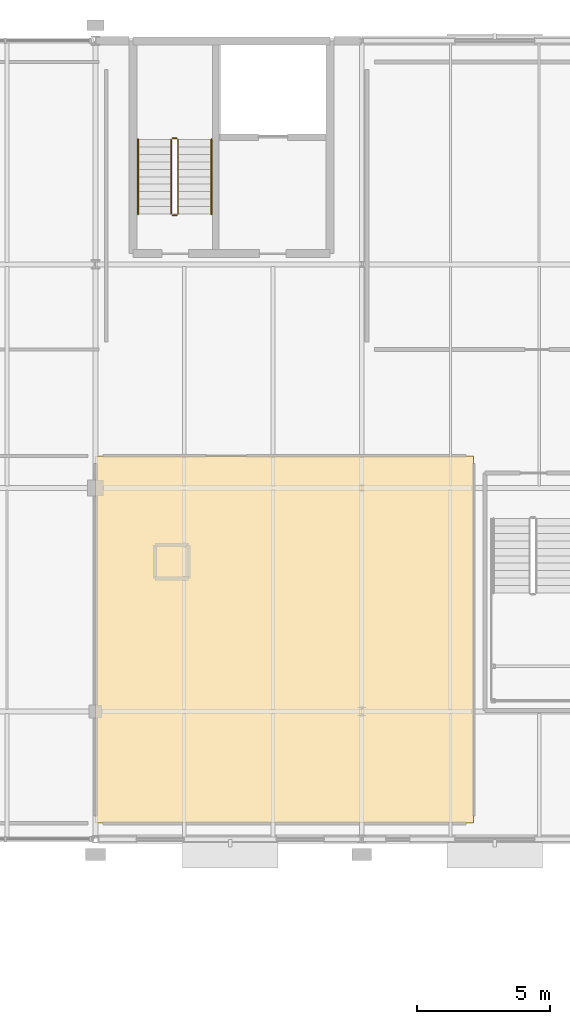
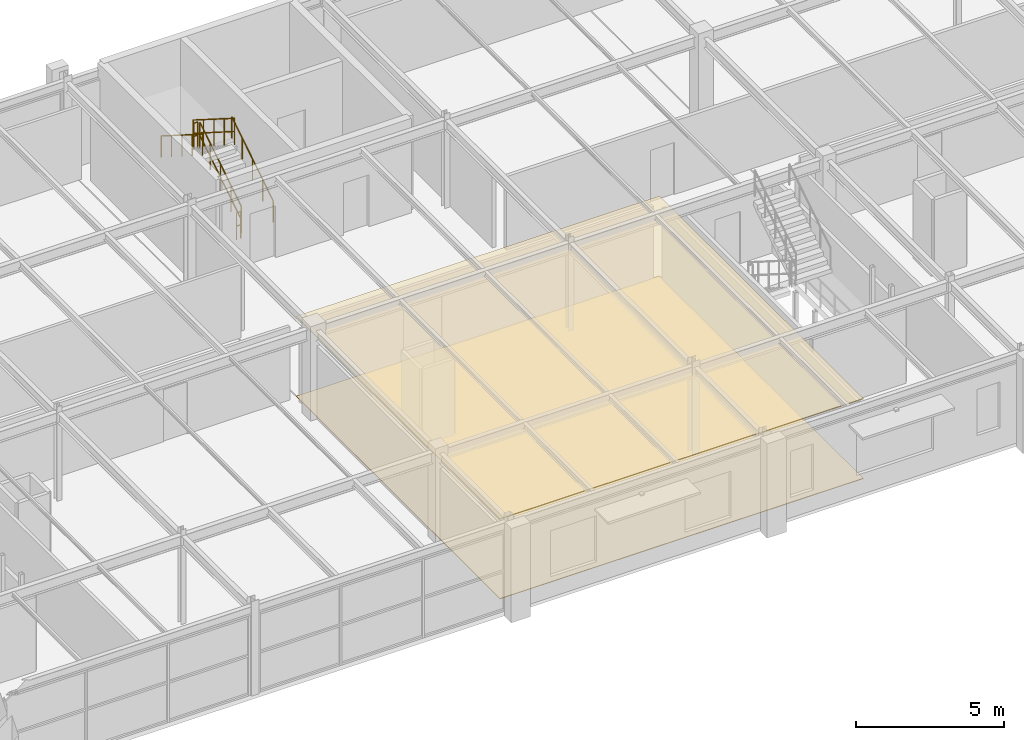
# One storey, part 95 of 98: 6 railings, 2 coverings.
"""IFC4 building model written with IfcOpenShell, lengths in metres."""

import ifcopenshell
import ifcopenshell.guid

model = None  # the IFC model being written
_history = None  # IfcOwnerHistory: only IFC2X3 demands one
_inside = {}  # id of a spatial element -> (the spatial element, [elements in it])
_under = {}  # id of a project, library or spatial element -> (it, [spatial elements below it])
_declared = {}  # id of a project -> (the project, [libraries it declares])
_typed = {}  # id of a type object -> (the type object, [elements of that type])
_made_of = {}  # id of a material, layer set ... -> (it, [elements and type objects made of it])


def new_model(schema):
    """Start an empty IFC model of exactly this schema.

    Asked for "IFC4X3", IfcOpenShell would pick the latest addendum, in which some entities
    have other attributes; the version numbers below select the first issue.
    IFC2X3 requires an IfcOwnerHistory on every rooted entity: one is made here for all.
    """
    global model, _history
    if schema == "IFC4X3":
        model = ifcopenshell.file(schema_version=(4, 3, 0, 0))
    else:
        model = ifcopenshell.file(schema=schema)
    _inside.clear()
    _under.clear()
    _declared.clear()
    _typed.clear()
    _made_of.clear()
    _history = None
    if model.schema == "IFC2X3":
        org = make("IfcOrganization", Name="unknown")
        user = make(
            "IfcPersonAndOrganization",
            ThePerson=make("IfcPerson", FamilyName="unknown"),
            TheOrganization=org,
        )
        app = make(
            "IfcApplication",
            ApplicationDeveloper=org,
            Version="unknown",
            ApplicationFullName="unknown",
            ApplicationIdentifier="unknown",
        )
        _history = make(
            "IfcOwnerHistory",
            OwningUser=user,
            OwningApplication=app,
            ChangeAction="ADDED",
            CreationDate=0,
        )
    return model


def make(cls, **values):
    """One entity of the class cls with the attributes given. An attribute that is None is left unset."""
    return model.create_entity(
        cls, **{name: value for name, value in values.items() if value is not None}
    )


def rooted(cls, **values):
    """An entity with a GlobalId (a new one), such as an element, a storey or a relation."""
    return make(cls, GlobalId=ifcopenshell.guid.new(), OwnerHistory=_history, **values)


def si_unit(unit_type, name, prefix=None):
    """IfcSIUnit, for example si_unit("LENGTHUNIT", "METRE", prefix="MILLI")."""
    return make("IfcSIUnit", UnitType=unit_type, Prefix=prefix, Name=name)


def derived_unit(unit_type, elements):
    """IfcDerivedUnit: a product of units, each with its exponent."""
    return make(
        "IfcDerivedUnit",
        Elements=[
            make("IfcDerivedUnitElement", Unit=unit, Exponent=power)
            for unit, power in elements
        ],
        UnitType=unit_type,
    )


def assignment(units):
    """IfcUnitAssignment: the units of a project."""
    return None if units is None else make("IfcUnitAssignment", Units=units)


def point(xyz):
    """IfcCartesianPoint."""
    return None if xyz is None else make("IfcCartesianPoint", Coordinates=xyz)


def direction(xyz):
    """IfcDirection."""
    return None if xyz is None else make("IfcDirection", DirectionRatios=xyz)


def frame(location, z_axis=None, x_axis=None):
    """IfcAxis2Placement3D, a coordinate frame: its origin and axes. An axis left out is left unset."""
    return make(
        "IfcAxis2Placement3D",
        Location=point(location),
        Axis=direction(z_axis),
        RefDirection=direction(x_axis),
    )


def frame_2d(location, x_axis=None):
    """IfcAxis2Placement2D, a coordinate frame in the plane: its origin and x axis."""
    return make(
        "IfcAxis2Placement2D", Location=point(location), RefDirection=direction(x_axis)
    )


def origin():
    """The frame at (0, 0, 0) with its axes left unset."""
    return frame((0.0, 0.0, 0.0))


def origin_2d_with_axis():
    """The frame at (0, 0) in the plane with the x axis (1, 0) written out."""
    return frame_2d((0.0, 0.0), x_axis=(1.0, 0.0))


def place(relative_to, where):
    """IfcLocalPlacement: puts the frame where relative to a parent placement (None: the world)."""
    return make(
        "IfcLocalPlacement", PlacementRelTo=relative_to, RelativePlacement=where
    )


def context(
    kind, dimensions, precision=None, world=None, true_north=None, identifier=None
):
    """IfcGeometricRepresentationContext, for example the 3D "Model" context."""
    return make(
        "IfcGeometricRepresentationContext",
        ContextIdentifier=identifier,
        ContextType=kind,
        CoordinateSpaceDimension=dimensions,
        Precision=precision,
        WorldCoordinateSystem=world,
        TrueNorth=true_north,
    )


def subcontext(parent, identifier, kind, view, scale=None):
    """IfcGeometricRepresentationSubContext, for example "Body" below "Model"."""
    return make(
        "IfcGeometricRepresentationSubContext",
        ContextIdentifier=identifier,
        ContextType=kind,
        ParentContext=parent,
        TargetScale=scale,
        TargetView=view,
    )


def project(units=None, contexts=None):
    """IfcProject with its units and contexts."""
    return rooted(
        "IfcProject",
        Name="project",
        RepresentationContexts=contexts,
        UnitsInContext=assignment(units),
    )


def spatial(cls, under=None, at=None, **own):
    """A site, building, storey or space (cls), placed at a placement, below another one or the project."""
    s = rooted(cls, ObjectPlacement=at, **own)
    if under is not None:
        _under.setdefault(under.id(), (under, []))[1].append(s)
    return s


def polyline(points):
    """IfcPolyline through the points."""
    return make("IfcPolyline", Points=[point(p) for p in points])


def profile(cls, at=None, kind="AREA", **sizes):
    """A parametric profile (cls). Its sizes go by their IFC names, for example OverallWidth=200.0."""
    return make(cls, ProfileType=kind, Position=at, **sizes)


def circle(**sizes):
    """IfcCircleProfileDef."""
    return profile("IfcCircleProfileDef", **sizes)


def outline(outer, holes=None, kind="AREA"):
    """IfcArbitraryClosedProfileDef: a profile drawn as a closed curve; with holes, ...WithVoids."""
    if holes is None:
        return make("IfcArbitraryClosedProfileDef", ProfileType=kind, OuterCurve=outer)
    return make(
        "IfcArbitraryProfileDefWithVoids",
        ProfileType=kind,
        OuterCurve=outer,
        InnerCurves=holes,
    )


def extrude(swept, where, along, depth):
    """IfcExtrudedAreaSolid: the profile swept, set in the frame where, extruded along a direction by depth."""
    return make(
        "IfcExtrudedAreaSolid",
        SweptArea=swept,
        Position=where,
        ExtrudedDirection=direction(along),
        Depth=depth,
    )


def shape(context_of_items, identifier, shape_type, items):
    """IfcShapeRepresentation: the items that make up one representation, for example the "Body"."""
    return make(
        "IfcShapeRepresentation",
        ContextOfItems=context_of_items,
        RepresentationIdentifier=identifier,
        RepresentationType=shape_type,
        Items=items,
    )


def material(Name=None, Category=None):
    """IfcMaterial."""
    return make("IfcMaterial", Name=Name, Category=Category)


def layer(
    of_material, thickness, ventilated=None, Name=None, Category=None, Priority=None
):
    """IfcMaterialLayer: one layer of a wall or slab, of a material (None: an air gap)."""
    return make(
        "IfcMaterialLayer",
        Material=of_material,
        LayerThickness=thickness,
        IsVentilated=ventilated,
        Name=Name,
        Category=Category,
        Priority=Priority,
    )


def layer_set(layers, Name=None):
    """IfcMaterialLayerSet."""
    return make("IfcMaterialLayerSet", MaterialLayers=layers, LayerSetName=Name)


def made_of(thing, what):
    """Note that an element or type object is made of a material, layer set ...; save() writes the relation."""
    if what is not None:
        _made_of.setdefault(what.id(), (what, []))[1].append(thing)
    return thing


def type_object(cls, material=None, **own):
    """A type object (cls), such as IfcWallType, which elements share."""
    return made_of(rooted(cls, **own), material)


def element(
    cls,
    number,
    at=None,
    inside=None,
    cuts=None,
    type_object=None,
    material=None,
    context=None,
    identifier="Body",
    shape_type=None,
    held_by="IfcProductDefinitionShape",
    body=None,
    shapes=None,
    **own,
):
    """One element of the class cls, such as IfcWall. Its Tag is "e" and its number.

    at: its placement. inside: the storey or other place that contains it. cuts: it is an
    opening in that element (IfcRelVoidsElement). A single representation is given by context,
    identifier, shape_type and body (its items); several are given by shapes. held_by: the class
    of the entity that holds the representations. save() writes the other relations.
    """
    e = rooted(cls, Tag="e%d" % number, ObjectPlacement=at, **own)
    if body is not None:
        shapes = [shape(context, identifier, shape_type, body)]
    if shapes is not None:
        e.Representation = make(held_by, Representations=shapes)
    if inside is not None:
        _inside.setdefault(inside.id(), (inside, []))[1].append(e)
    if cuts is not None:
        rooted(
            "IfcRelVoidsElement", RelatingBuildingElement=cuts, RelatedOpeningElement=e
        )
    if type_object is not None:
        _typed.setdefault(type_object.id(), (type_object, []))[1].append(e)
    return made_of(e, material)


def aggregate(whole, parts):
    """IfcRelAggregates: a whole, such as a stair, and the parts it consists of."""
    return rooted("IfcRelAggregates", RelatingObject=whole, RelatedObjects=parts)


def save(model, path):
    """Write the relations noted so far, then the file.

    IfcRelAggregates (storeys below a building ...), IfcRelContainedInSpatialStructure (elements
    in a storey), IfcRelDefinesByType, IfcRelAssociatesMaterial and IfcRelDeclares: one each for
    every whole, place, type object, material and project.
    """
    for whole, parts in _under.values():
        aggregate(whole, parts)
    for where, things in _inside.values():
        rooted(
            "IfcRelContainedInSpatialStructure",
            RelatedElements=things,
            RelatingStructure=where,
        )
    for kind, things in _typed.values():
        rooted("IfcRelDefinesByType", RelatedObjects=things, RelatingType=kind)
    for what, things in _made_of.values():
        rooted("IfcRelAssociatesMaterial", RelatedObjects=things, RelatingMaterial=what)
    for by, libraries in _declared.values():
        rooted("IfcRelDeclares", RelatingContext=by, RelatedDefinitions=libraries)
    model.write(path)


model = new_model("IFC4")

# Units and contexts
model_context = context("Model", 3, precision=1e-05, world=origin(), true_north=direction((0.0, 1.0)))
body_context = subcontext(model_context, "Body", "Model", "MODEL_VIEW")
ifc_project = project(units=[si_unit("LENGTHUNIT", "METRE"), si_unit("AREAUNIT", "SQUARE_METRE"), si_unit("VOLUMEUNIT", "CUBIC_METRE"), si_unit("PLANEANGLEUNIT", "RADIAN"), si_unit("MASSUNIT", "GRAM", prefix="KILO"), derived_unit("THERMALTRANSMITTANCEUNIT", [(si_unit("POWERUNIT", "WATT"), 1), (si_unit("LENGTHUNIT", "METRE"), -2), (si_unit("THERMODYNAMICTEMPERATUREUNIT", "KELVIN"), -1)])], contexts=[model_context])

# Site, building, storey
site_placement = place(None, origin())
site = spatial("IfcSite", under=ifc_project, at=site_placement, CompositionType="ELEMENT")
building_placement = place(site_placement, origin())
building = spatial("IfcBuilding", under=site, at=building_placement, Name="Cinnabar Yard Market Hall", CompositionType="ELEMENT")
storey_placement = place(building_placement, frame((0.0, 0.0, 4.5)))
storey = spatial("IfcBuildingStorey", under=building, at=storey_placement, Name="L01", CompositionType="ELEMENT", Elevation=4.5)

# Coverings
ifc_material_1 = material(Name="Perforated acoustic spotted-gum timber slats", Category="wood")
ifc_layer_1 = layer(ifc_material_1, 0.0400390625)
ifc_layer_set_1 = layer_set([ifc_layer_1], Name="Perforated acoustic spotted-gum timber slats")
covering_type_1 = type_object("IfcCoveringType", Name="COV-CLG1", PredefinedType="CEILING", material=ifc_layer_set_1)
covering_1_placement = place(storey_placement, frame((0.0, 0.0, 3.2900390625)))
element("IfcCovering", 1, at=covering_1_placement, inside=storey, type_object=covering_type_1, Name="Ceiling Regional Wine and Cider Tasting Room 104", PredefinedType="CEILING", context=body_context, shape_type="SweptSolid", body=[
    extrude(outline(polyline([(126.0, 108.60009765625), (140.199951171875, 108.60009765625), (140.199951171875, 122.39990234375), (126.0, 122.39990234375), (126.0, 108.60009765625)])), origin(), (0.0, 0.0, 1.0), 0.034912109375),
])
ifc_material_2 = material(Name="Honed Adelaide red terrazzo flooring")
ifc_layer_2 = layer(ifc_material_2, 0.030029296875)
ifc_layer_set_2 = layer_set([ifc_layer_2], Name="Honed Adelaide red terrazzo flooring")
covering_type_2 = type_object("IfcCoveringType", Name="COV-FLR1", PredefinedType="FLOORING", material=ifc_layer_set_2)
covering_2_placement = place(storey_placement, origin())
element("IfcCovering", 2, at=covering_2_placement, inside=storey, type_object=covering_type_2, Name="Flooring Regional Wine and Cider Tasting Room 104", PredefinedType="FLOORING", context=body_context, shape_type="SweptSolid", body=[
    extrude(outline(polyline([(126.0, 108.60009765625), (140.199951171875, 108.60009765625), (140.199951171875, 122.39990234375), (126.0, 122.39990234375), (126.0, 108.60009765625)])), origin(), (0.0, 0.0, 1.0), 0.02490234375),
])

# Railings
ifc_material_3 = material(Name="Galvanised steel Grade 300 (300 MPa) guardrail", Category="steel")
ifc_layer_3 = layer(ifc_material_3, 0.06005859375)
ifc_layer_set_3 = layer_set([ifc_layer_3], Name="Galvanised steel Grade 300 (300 MPa) guardrail")
railing_type_1 = type_object("IfcRailingType", Name="RL-G03", PredefinedType="GUARDRAIL", material=ifc_layer_set_3)
railing_1_placement = place(storey_placement, frame((129.10009765625, 131.489990234375, 0.17724609375)))
element("IfcRailing", 3, at=railing_1_placement, inside=storey, type_object=railing_type_1, Name="L01 ST-C6 stair guard 1", PredefinedType="GUARDRAIL", context=body_context, shape_type="SweptSolid", body=[
    extrude(circle(Radius=0.02392578125, at=origin_2d_with_axis()), frame((0.0, 0.0, 1.09619140625), z_axis=(0.0, 0.844908973607, 0.534910110503), x_axis=(-1.0, 0.0, 0.0)), (0.0, 0.0, 1.0), 3.31396484375),
    extrude(circle(Radius=0.02392578125, at=origin_2d_with_axis()), frame((0.0, 0.0, 0.550048828125), z_axis=(0.0, 0.844908973607, 0.534910110503), x_axis=(-1.0, 0.0, 0.0)), (0.0, 0.0, 1.0), 3.31396484375),
    extrude(circle(Radius=0.02099609375, at=origin_2d_with_axis()), origin(), (0.0, 0.0, 1.0), 1.072021484375),
    extrude(circle(Radius=0.02099609375, at=origin_2d_with_axis()), frame((0.0, 0.699951171875, 0.443115234375)), (0.0, 0.0, 1.0), 1.072021484375),
    extrude(circle(Radius=0.02099609375, at=origin_2d_with_axis()), frame((0.0, 1.39990234375, 0.88623046875)), (0.0, 0.0, 1.0), 1.072021484375),
    extrude(circle(Radius=0.02099609375, at=origin_2d_with_axis()), frame((0.0, 2.10009765625, 1.32958984375)), (0.0, 0.0, 1.0), 1.072021484375),
    extrude(circle(Radius=0.02099609375, at=origin_2d_with_axis()), frame((0.0, 2.800048828125, 1.772705078125)), (0.0, 0.0, 1.0), 1.072021484375),
])
railing_2_placement = place(storey_placement, frame((129.050048828125, 134.340087890625, 1.949951171875)))
element("IfcRailing", 4, at=railing_2_placement, inside=storey, type_object=railing_type_1, Name="L01 ST-C6 stair guard 2", PredefinedType="GUARDRAIL", context=body_context, shape_type="SweptSolid", body=[
    extrude(circle(Radius=0.02392578125, at=origin_2d_with_axis()), frame((0.0, 0.0, 1.09619140625), z_axis=(-1.0, 0.0, 0.0), x_axis=(0.0, -1.0, 0.0)), (0.0, 0.0, 1.0), 0.16015625),
    extrude(circle(Radius=0.02392578125, at=origin_2d_with_axis()), frame((0.0, 0.0, 0.550048828125), z_axis=(-1.0, 0.0, 0.0), x_axis=(0.0, -1.0, 0.0)), (0.0, 0.0, 1.0), 0.16015625),
    extrude(circle(Radius=0.02099609375, at=origin_2d_with_axis()), origin(), (0.0, 0.0, 1.0), 1.072021484375),
    extrude(circle(Radius=0.02099609375, at=origin_2d_with_axis()), frame((-0.16015625, 0.0, 0.0)), (0.0, 0.0, 1.0), 1.072021484375),
])
railing_3_placement = place(storey_placement, frame((128.840087890625, 134.2900390625, 2.127197265625)))
element("IfcRailing", 5, at=railing_3_placement, inside=storey, type_object=railing_type_1, Name="L01 ST-C6 stair guard 3", PredefinedType="GUARDRAIL", context=body_context, shape_type="SweptSolid", body=[
    extrude(circle(Radius=0.02392578125, at=origin_2d_with_axis()), frame((0.0, 0.0, 1.09619140625), z_axis=(0.0, -0.844908973607, 0.534910110503), x_axis=(1.0, 0.0, 0.0)), (0.0, 0.0, 1.0), 3.31396484375),
    extrude(circle(Radius=0.02392578125, at=origin_2d_with_axis()), frame((0.0, 0.0, 0.550048828125), z_axis=(0.0, -0.844908973607, 0.534910110503), x_axis=(1.0, 0.0, 0.0)), (0.0, 0.0, 1.0), 3.31396484375),
    extrude(circle(Radius=0.02099609375, at=origin_2d_with_axis()), origin(), (0.0, 0.0, 1.0), 1.072021484375),
    extrude(circle(Radius=0.02099609375, at=origin_2d_with_axis()), frame((0.0, -0.699951171875, 0.443115234375)), (0.0, 0.0, 1.0), 1.072021484375),
    extrude(circle(Radius=0.02099609375, at=origin_2d_with_axis()), frame((0.0, -1.39990234375, 0.88623046875)), (0.0, 0.0, 1.0), 1.072021484375),
    extrude(circle(Radius=0.02099609375, at=origin_2d_with_axis()), frame((0.0, -2.10009765625, 1.32958984375)), (0.0, 0.0, 1.0), 1.072021484375),
    extrude(circle(Radius=0.02099609375, at=origin_2d_with_axis()), frame((0.0, -2.800048828125, 1.772705078125)), (0.0, 0.0, 1.0), 1.072021484375),
])
railing_4_placement = place(storey_placement, frame((129.050048828125, 131.43994140625, 0.0)))
element("IfcRailing", 6, at=railing_4_placement, inside=storey, type_object=railing_type_1, Name="L01 ST-C6 stair guard 4", PredefinedType="GUARDRAIL", context=body_context, shape_type="SweptSolid", body=[
    extrude(circle(Radius=0.02392578125, at=origin_2d_with_axis()), frame((0.0, 0.0, 1.09619140625), z_axis=(-1.0, 0.0, 0.0), x_axis=(0.0, -1.0, 0.0)), (0.0, 0.0, 1.0), 0.16015625),
    extrude(circle(Radius=0.02392578125, at=origin_2d_with_axis()), frame((0.0, 0.0, 0.550048828125), z_axis=(-1.0, 0.0, 0.0), x_axis=(0.0, -1.0, 0.0)), (0.0, 0.0, 1.0), 0.16015625),
    extrude(circle(Radius=0.02099609375, at=origin_2d_with_axis()), origin(), (0.0, 0.0, 1.0), 1.072021484375),
    extrude(circle(Radius=0.02099609375, at=origin_2d_with_axis()), frame((-0.16015625, 0.0, 0.0)), (0.0, 0.0, 1.0), 1.072021484375),
])
ifc_material_4 = material(Name="Brushed stainless steel handrail", Category="steel")
ifc_layer_4 = layer(ifc_material_4, 0.050048828125)
ifc_layer_set_4 = layer_set([ifc_layer_4], Name="Brushed stainless steel handrail")
railing_type_2 = type_object("IfcRailingType", Name="RL-HR1", PredefinedType="HANDRAIL", material=ifc_layer_set_4)
railing_5_placement = place(storey_placement, frame((130.35009765625, 131.489990234375, 0.17724609375)))
element("IfcRailing", 7, at=railing_5_placement, inside=storey, type_object=railing_type_2, Name="L01 ST-C6 stair handrail 1", PredefinedType="HANDRAIL", context=body_context, shape_type="SweptSolid", body=[
    extrude(circle(Radius=0.02392578125, at=origin_2d_with_axis()), frame((0.0, 0.0, 0.8759765625), z_axis=(0.0, 0.844908973607, 0.534910110503), x_axis=(-1.0, 0.0, 0.0)), (0.0, 0.0, 1.0), 3.31396484375),
    extrude(circle(Radius=0.02099609375, at=origin_2d_with_axis()), origin(), (0.0, 0.0, 1.0), 0.851806640625),
    extrude(circle(Radius=0.02099609375, at=origin_2d_with_axis()), frame((0.0, 0.699951171875, 0.443115234375)), (0.0, 0.0, 1.0), 0.851806640625),
    extrude(circle(Radius=0.02099609375, at=origin_2d_with_axis()), frame((0.0, 1.39990234375, 0.88623046875)), (0.0, 0.0, 1.0), 0.851806640625),
    extrude(circle(Radius=0.02099609375, at=origin_2d_with_axis()), frame((0.0, 2.10009765625, 1.32958984375)), (0.0, 0.0, 1.0), 0.851806640625),
    extrude(circle(Radius=0.02099609375, at=origin_2d_with_axis()), frame((0.0, 2.800048828125, 1.772705078125)), (0.0, 0.0, 1.0), 0.851806640625),
])
railing_6_placement = place(storey_placement, frame((127.590087890625, 134.2900390625, 2.127197265625)))
element("IfcRailing", 8, at=railing_6_placement, inside=storey, type_object=railing_type_2, Name="L01 ST-C6 stair handrail 2", PredefinedType="HANDRAIL", context=body_context, shape_type="SweptSolid", body=[
    extrude(circle(Radius=0.02392578125, at=origin_2d_with_axis()), frame((0.0, 0.0, 0.8759765625), z_axis=(0.0, -0.844908973607, 0.534910110503), x_axis=(1.0, 0.0, 0.0)), (0.0, 0.0, 1.0), 3.31396484375),
    extrude(circle(Radius=0.02099609375, at=origin_2d_with_axis()), origin(), (0.0, 0.0, 1.0), 0.851806640625),
    extrude(circle(Radius=0.02099609375, at=origin_2d_with_axis()), frame((0.0, -0.699951171875, 0.443115234375)), (0.0, 0.0, 1.0), 0.851806640625),
    extrude(circle(Radius=0.02099609375, at=origin_2d_with_axis()), frame((0.0, -1.39990234375, 0.88623046875)), (0.0, 0.0, 1.0), 0.851806640625),
    extrude(circle(Radius=0.02099609375, at=origin_2d_with_axis()), frame((0.0, -2.10009765625, 1.32958984375)), (0.0, 0.0, 1.0), 0.851806640625),
    extrude(circle(Radius=0.02099609375, at=origin_2d_with_axis()), frame((0.0, -2.800048828125, 1.772705078125)), (0.0, 0.0, 1.0), 0.851806640625),
])

save(model, "model.ifc")
